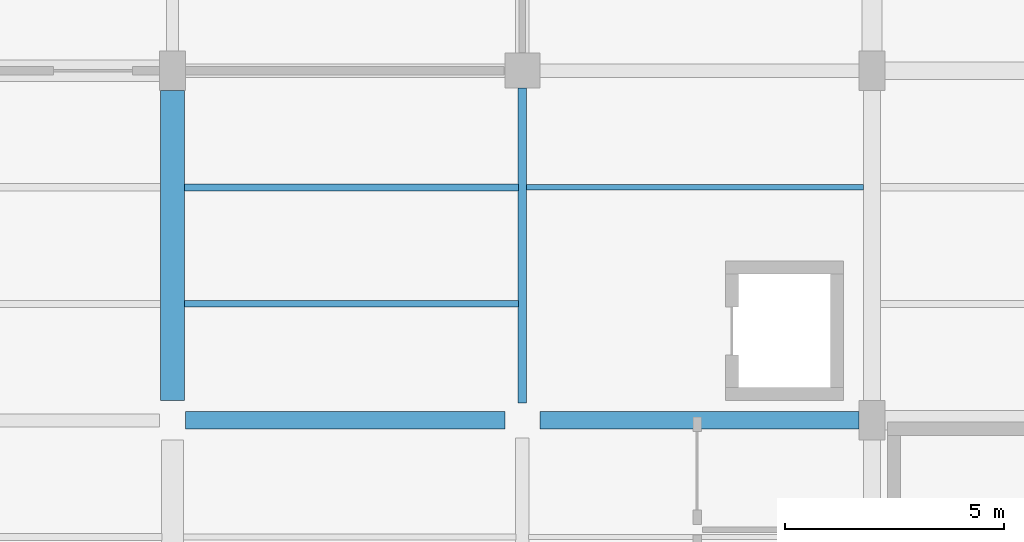
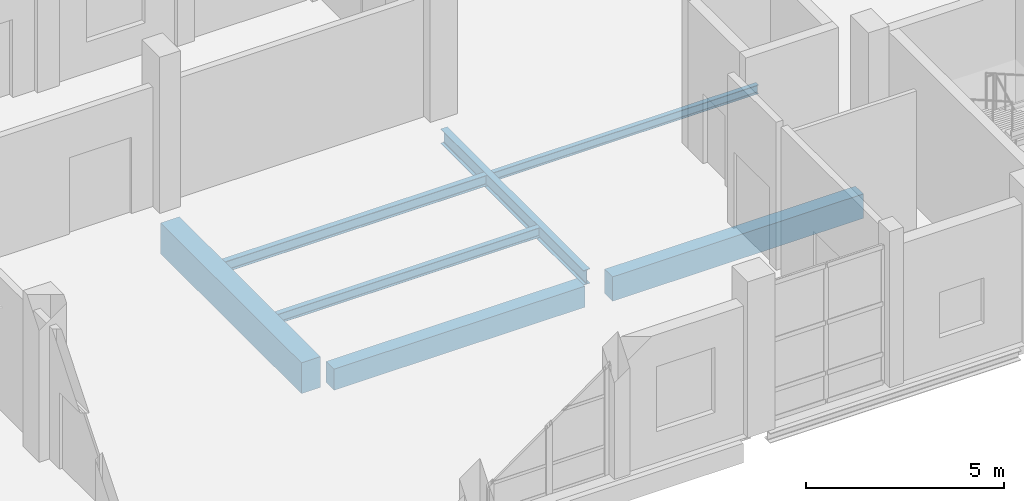
# One storey, part 86 of 156: 7 beams.
"""IFC4 building model written with IfcOpenShell, lengths in metres."""

from ifc_helpers import new_model, si_unit, direction, frame, origin, origin_2d, place, context, subcontext, project, spatial, rectangle, i_section, extrude, material, material_profile, profile_set, type_object, element, save


model = new_model("IFC4")

# Units and contexts
model_context = context("Model", 3, precision=1e-05, world=origin(), true_north=direction((0.0, 1.0)))
body_context = subcontext(model_context, "Body", "Model", "MODEL_VIEW")
ifc_project = project(units=[si_unit("LENGTHUNIT", "METRE"), si_unit("AREAUNIT", "SQUARE_METRE"), si_unit("VOLUMEUNIT", "CUBIC_METRE"), si_unit("PLANEANGLEUNIT", "RADIAN"), si_unit("MASSUNIT", "GRAM", prefix="KILO")], contexts=[model_context])

# Site, building, storey
site_placement = place(None, origin())
site = spatial("IfcSite", under=ifc_project, at=site_placement, CompositionType="ELEMENT")
building_placement = place(site_placement, origin())
building = spatial("IfcBuilding", under=site, at=building_placement, Name="Luwemba Playhouse", CompositionType="ELEMENT")
storey_placement = place(building_placement, origin())
storey = spatial("IfcBuildingStorey", under=building, at=storey_placement, Name="L00", CompositionType="ELEMENT", Elevation=0.0)

# Beams
ifc_material_1 = material(Name="Concrete C40/50", Category="concrete")
ifc_material_profile_1 = material_profile(ifc_material_1, rectangle(XDim=0.39990234375, YDim=0.64990234375, at=origin_2d()))
ifc_profile_set_1 = profile_set([ifc_material_profile_1], Name="Concrete C40/50")
beam_type_1 = type_object("IfcBeamType", Name="BM-RB02", PredefinedType="BEAM", material=ifc_profile_set_1)
beam_1_placement = place(storey_placement, frame((148.300048828125, 76.0, -0.625), z_axis=(1.0, 0.0, 0.0), x_axis=(0.0, 1.0, 0.0)))
element("IfcBeam", 1, at=beam_1_placement, inside=storey, type_object=beam_type_1, Name="L00 grid girder 0119", PredefinedType="BEAM", context=body_context, shape_type="SweptSolid", body=[
    extrude(rectangle(XDim=0.39990234375, YDim=0.64990234375, at=origin_2d()), origin(), (0.0, 0.0, 1.0), 7.300048828125),
])
ifc_material_profile_2 = material_profile(ifc_material_1, rectangle(XDim=0.39990234375, YDim=0.75, at=origin_2d()))
ifc_profile_set_2 = profile_set([ifc_material_profile_2], Name="Concrete C40/50")
beam_type_2 = type_object("IfcBeamType", Name="BM-RB03", PredefinedType="BEAM", material=ifc_profile_set_2)
beam_2_placement = place(storey_placement, frame((156.39990234375, 76.0, -0.675048828125), z_axis=(1.0, 0.0, 0.0), x_axis=(0.0, 1.0, 0.0)))
element("IfcBeam", 2, at=beam_2_placement, inside=storey, type_object=beam_type_2, Name="L00 grid girder 0120", PredefinedType="BEAM", context=body_context, shape_type="SweptSolid", body=[
    extrude(rectangle(XDim=0.39990234375, YDim=0.75, at=origin_2d()), origin(), (0.0, 0.0, 1.0), 7.300048828125),
])
ifc_material_profile_3 = material_profile(ifc_material_1, rectangle(XDim=0.550048828125, YDim=0.949951171875, at=origin_2d()))
ifc_profile_set_3 = profile_set([ifc_material_profile_3], Name="Concrete C40/50")
beam_type_3 = type_object("IfcBeamType", Name="BM-RB08", PredefinedType="BEAM", material=ifc_profile_set_3)
beam_3_placement = place(storey_placement, frame((148.0, 76.449951171875, -0.77490234375), z_axis=(0.0, 1.0, 0.0), x_axis=(-1.0, 0.0, 0.0)))
element("IfcBeam", 3, at=beam_3_placement, inside=storey, type_object=beam_type_3, Name="L00 transverse girder 0139", PredefinedType="BEAM", context=body_context, shape_type="SweptSolid", body=[
    extrude(rectangle(XDim=0.550048828125, YDim=0.949951171875, at=origin_2d()), origin(), (0.0, 0.0, 1.0), 7.10009765625),
])
ifc_material_2 = material(Name="Steel S355", Category="steel")
ifc_material_profile_4 = material_profile(ifc_material_2, i_section(OverallWidth=0.18994140625, OverallDepth=0.449951171875, WebThickness=0.009521484375, FlangeThickness=0.0146484375, FilletRadius=0.02099609375, at=origin_2d()))
ifc_profile_set_4 = profile_set([ifc_material_profile_4], Name="Steel S355")
beam_type_4 = type_object("IfcBeamType", Name="BM-SB06", PredefinedType="BEAM", material=ifc_profile_set_4)
beam_4_placement = place(storey_placement, frame((156.0, 76.39990234375, -0.52490234375), z_axis=(0.0, 1.0, 0.0), x_axis=(-1.0, 0.0, 0.0)))
element("IfcBeam", 4, at=beam_4_placement, inside=storey, type_object=beam_type_4, Name="L00 transverse girder 0142", PredefinedType="BEAM", context=body_context, shape_type="SweptSolid", body=[
    extrude(i_section(OverallWidth=0.18994140625, OverallDepth=0.449951171875, WebThickness=0.009521484375, FlangeThickness=0.0146484375, FilletRadius=0.02099609375, at=origin_2d()), origin(), (0.0, 0.0, 1.0), 7.2001953125),
])
ifc_material_profile_5 = material_profile(ifc_material_2, i_section(OverallWidth=0.135009765625, OverallDepth=0.27001953125, WebThickness=0.006591796875, FlangeThickness=0.01025390625, FilletRadius=0.014892578125, at=origin_2d()))
ifc_profile_set_5 = profile_set([ifc_material_profile_5], Name="Steel S355")
beam_type_5 = type_object("IfcBeamType", Name="BM-SJ04", PredefinedType="JOIST", material=ifc_profile_set_5)
beam_5_placement = place(storey_placement, frame((156.091064453125, 81.333251953125, -0.43505859375), z_axis=(1.0, 0.0, 0.0), x_axis=(0.0, 1.0, 0.0)))
element("IfcBeam", 5, at=beam_5_placement, inside=storey, type_object=beam_type_5, Name="L00 composite floor joist 0114", PredefinedType="JOIST", context=body_context, shape_type="SweptSolid", body=[
    extrude(i_section(OverallWidth=0.135009765625, OverallDepth=0.27001953125, WebThickness=0.006591796875, FlangeThickness=0.01025390625, FilletRadius=0.014892578125, at=origin_2d()), origin(), (0.0, 0.0, 1.0), 7.712890625),
])
ifc_material_profile_6 = material_profile(ifc_material_2, i_section(OverallWidth=0.14990234375, OverallDepth=0.300048828125, WebThickness=0.007080078125, FlangeThickness=0.0107421875, FilletRadius=0.014892578125, at=origin_2d()))
ifc_profile_set_6 = profile_set([ifc_material_profile_6], Name="Steel S355")
beam_type_6 = type_object("IfcBeamType", Name="BM-SJ05", PredefinedType="JOIST", material=ifc_profile_set_6)
beam_6_placement = place(storey_placement, frame((148.27099609375, 78.666748046875, -0.449951171875), z_axis=(1.0, 0.0, 0.0), x_axis=(0.0, 1.0, 0.0)))
element("IfcBeam", 6, at=beam_6_placement, inside=storey, type_object=beam_type_6, Name="L00 composite floor joist 0109", PredefinedType="JOIST", context=body_context, shape_type="SweptSolid", body=[
    extrude(i_section(OverallWidth=0.14990234375, OverallDepth=0.300048828125, WebThickness=0.007080078125, FlangeThickness=0.0107421875, FilletRadius=0.014892578125, at=origin_2d()), origin(), (0.0, 0.0, 1.0), 7.637939453125),
])
ifc_material_profile_7 = material_profile(ifc_material_2, i_section(OverallWidth=0.159912109375, OverallDepth=0.330078125, WebThickness=0.007568359375, FlangeThickness=0.011474609375, FilletRadius=0.01806640625, at=origin_2d()))
ifc_profile_set_7 = profile_set([ifc_material_profile_7], Name="Steel S355")
beam_type_7 = type_object("IfcBeamType", Name="BM-SJ06", PredefinedType="JOIST", material=ifc_profile_set_7)
beam_7_placement = place(storey_placement, frame((148.27099609375, 81.333251953125, -0.465087890625), z_axis=(1.0, 0.0, 0.0), x_axis=(0.0, 1.0, 0.0)))
element("IfcBeam", 7, at=beam_7_placement, inside=storey, type_object=beam_type_7, Name="L00 composite floor joist 0110", PredefinedType="JOIST", context=body_context, shape_type="SweptSolid", body=[
    extrude(i_section(OverallWidth=0.159912109375, OverallDepth=0.330078125, WebThickness=0.007568359375, FlangeThickness=0.011474609375, FilletRadius=0.01806640625, at=origin_2d()), origin(), (0.0, 0.0, 1.0), 7.637939453125),
])

save(model, "model.ifc")
